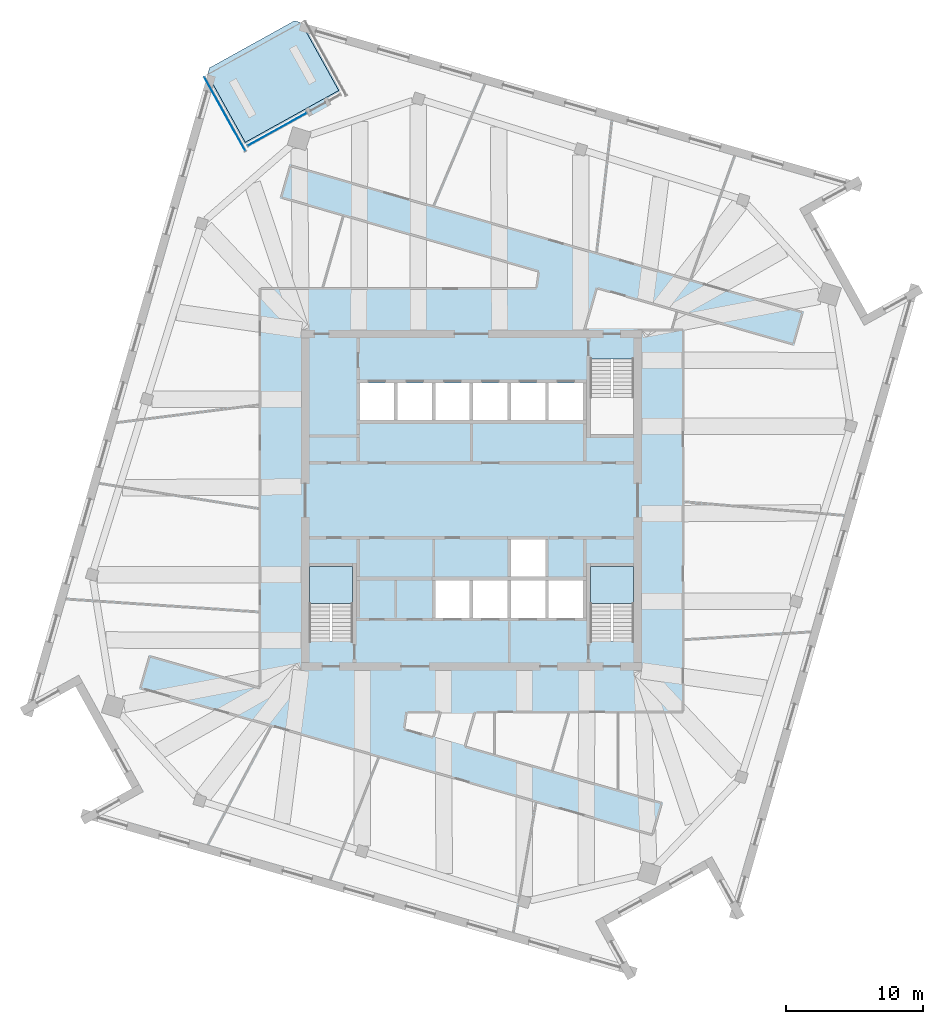
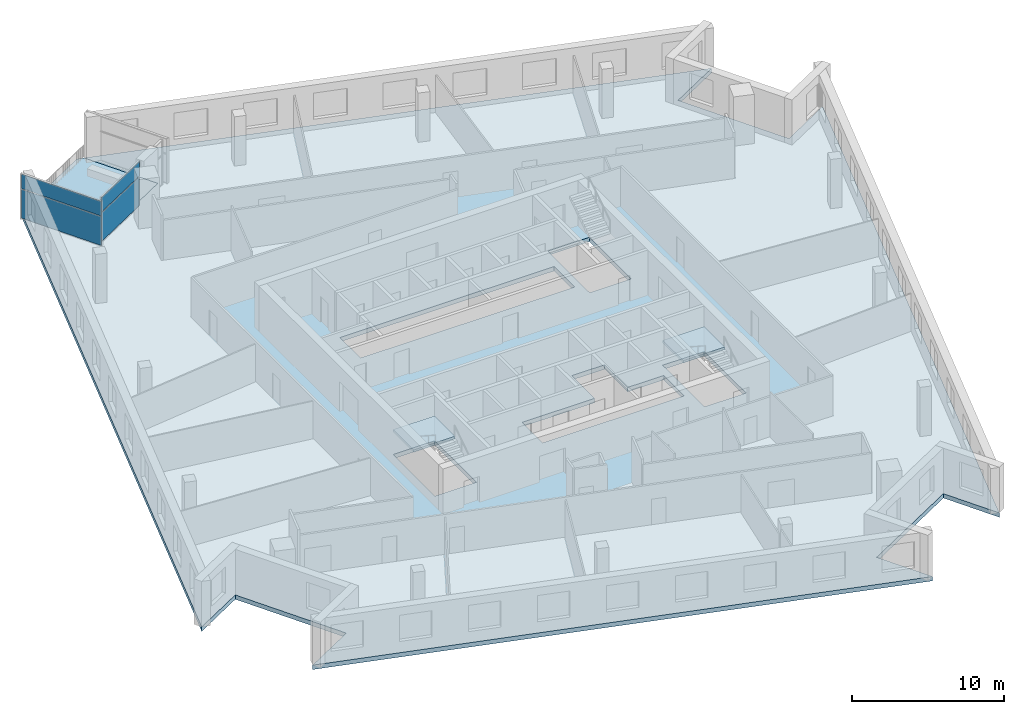
# One storey, part 5 of 15: 4 plates, 4 slabs, 4 elements without a shape of their own.
"""IFC4 building model written with IfcOpenShell, lengths in metres."""

import ifcopenshell
import ifcopenshell.guid

model = None  # the IFC model being written
_history = None  # IfcOwnerHistory: only IFC2X3 demands one
_inside = {}  # id of a spatial element -> (the spatial element, [elements in it])
_under = {}  # id of a project, library or spatial element -> (it, [spatial elements below it])
_declared = {}  # id of a project -> (the project, [libraries it declares])
_typed = {}  # id of a type object -> (the type object, [elements of that type])
_made_of = {}  # id of a material, layer set ... -> (it, [elements and type objects made of it])


def new_model(schema):
    """Start an empty IFC model of exactly this schema.

    Asked for "IFC4X3", IfcOpenShell would pick the latest addendum, in which some entities
    have other attributes; the version numbers below select the first issue.
    IFC2X3 requires an IfcOwnerHistory on every rooted entity: one is made here for all.
    """
    global model, _history
    if schema == "IFC4X3":
        model = ifcopenshell.file(schema_version=(4, 3, 0, 0))
    else:
        model = ifcopenshell.file(schema=schema)
    _inside.clear()
    _under.clear()
    _declared.clear()
    _typed.clear()
    _made_of.clear()
    _history = None
    if model.schema == "IFC2X3":
        org = make("IfcOrganization", Name="unknown")
        user = make(
            "IfcPersonAndOrganization",
            ThePerson=make("IfcPerson", FamilyName="unknown"),
            TheOrganization=org,
        )
        app = make(
            "IfcApplication",
            ApplicationDeveloper=org,
            Version="unknown",
            ApplicationFullName="unknown",
            ApplicationIdentifier="unknown",
        )
        _history = make(
            "IfcOwnerHistory",
            OwningUser=user,
            OwningApplication=app,
            ChangeAction="ADDED",
            CreationDate=0,
        )
    return model


def make(cls, **values):
    """One entity of the class cls with the attributes given. An attribute that is None is left unset."""
    return model.create_entity(
        cls, **{name: value for name, value in values.items() if value is not None}
    )


def rooted(cls, **values):
    """An entity with a GlobalId (a new one), such as an element, a storey or a relation."""
    return make(cls, GlobalId=ifcopenshell.guid.new(), OwnerHistory=_history, **values)


def si_unit(unit_type, name, prefix=None):
    """IfcSIUnit, for example si_unit("LENGTHUNIT", "METRE", prefix="MILLI")."""
    return make("IfcSIUnit", UnitType=unit_type, Prefix=prefix, Name=name)


def assignment(units):
    """IfcUnitAssignment: the units of a project."""
    return None if units is None else make("IfcUnitAssignment", Units=units)


def point(xyz):
    """IfcCartesianPoint."""
    return None if xyz is None else make("IfcCartesianPoint", Coordinates=xyz)


def direction(xyz):
    """IfcDirection."""
    return None if xyz is None else make("IfcDirection", DirectionRatios=xyz)


def frame(location, z_axis=None, x_axis=None):
    """IfcAxis2Placement3D, a coordinate frame: its origin and axes. An axis left out is left unset."""
    return make(
        "IfcAxis2Placement3D",
        Location=point(location),
        Axis=direction(z_axis),
        RefDirection=direction(x_axis),
    )


def frame_2d(location, x_axis=None):
    """IfcAxis2Placement2D, a coordinate frame in the plane: its origin and x axis."""
    return make(
        "IfcAxis2Placement2D", Location=point(location), RefDirection=direction(x_axis)
    )


def origin():
    """The frame at (0, 0, 0) with its axes left unset."""
    return frame((0.0, 0.0, 0.0))


def origin_2d():
    """The frame at (0, 0) in the plane with its x axis left unset."""
    return frame_2d((0.0, 0.0))


def place(relative_to, where):
    """IfcLocalPlacement: puts the frame where relative to a parent placement (None: the world)."""
    return make(
        "IfcLocalPlacement", PlacementRelTo=relative_to, RelativePlacement=where
    )


def context(
    kind, dimensions, precision=None, world=None, true_north=None, identifier=None
):
    """IfcGeometricRepresentationContext, for example the 3D "Model" context."""
    return make(
        "IfcGeometricRepresentationContext",
        ContextIdentifier=identifier,
        ContextType=kind,
        CoordinateSpaceDimension=dimensions,
        Precision=precision,
        WorldCoordinateSystem=world,
        TrueNorth=true_north,
    )


def subcontext(parent, identifier, kind, view, scale=None):
    """IfcGeometricRepresentationSubContext, for example "Body" below "Model"."""
    return make(
        "IfcGeometricRepresentationSubContext",
        ContextIdentifier=identifier,
        ContextType=kind,
        ParentContext=parent,
        TargetScale=scale,
        TargetView=view,
    )


def project(units=None, contexts=None):
    """IfcProject with its units and contexts."""
    return rooted(
        "IfcProject",
        Name="project",
        RepresentationContexts=contexts,
        UnitsInContext=assignment(units),
    )


def spatial(cls, under=None, at=None, **own):
    """A site, building, storey or space (cls), placed at a placement, below another one or the project."""
    s = rooted(cls, ObjectPlacement=at, **own)
    if under is not None:
        _under.setdefault(under.id(), (under, []))[1].append(s)
    return s


def polyline(points):
    """IfcPolyline through the points."""
    return make("IfcPolyline", Points=[point(p) for p in points])


def profile(cls, at=None, kind="AREA", **sizes):
    """A parametric profile (cls). Its sizes go by their IFC names, for example OverallWidth=200.0."""
    return make(cls, ProfileType=kind, Position=at, **sizes)


def rectangle(**sizes):
    """IfcRectangleProfileDef."""
    return profile("IfcRectangleProfileDef", **sizes)


def outline(outer, holes=None, kind="AREA"):
    """IfcArbitraryClosedProfileDef: a profile drawn as a closed curve; with holes, ...WithVoids."""
    if holes is None:
        return make("IfcArbitraryClosedProfileDef", ProfileType=kind, OuterCurve=outer)
    return make(
        "IfcArbitraryProfileDefWithVoids",
        ProfileType=kind,
        OuterCurve=outer,
        InnerCurves=holes,
    )


def extrude(swept, where, along, depth):
    """IfcExtrudedAreaSolid: the profile swept, set in the frame where, extruded along a direction by depth."""
    return make(
        "IfcExtrudedAreaSolid",
        SweptArea=swept,
        Position=where,
        ExtrudedDirection=direction(along),
        Depth=depth,
    )


def shape(context_of_items, identifier, shape_type, items):
    """IfcShapeRepresentation: the items that make up one representation, for example the "Body"."""
    return make(
        "IfcShapeRepresentation",
        ContextOfItems=context_of_items,
        RepresentationIdentifier=identifier,
        RepresentationType=shape_type,
        Items=items,
    )


def material(Name=None, Category=None):
    """IfcMaterial."""
    return make("IfcMaterial", Name=Name, Category=Category)


def layer(
    of_material, thickness, ventilated=None, Name=None, Category=None, Priority=None
):
    """IfcMaterialLayer: one layer of a wall or slab, of a material (None: an air gap)."""
    return make(
        "IfcMaterialLayer",
        Material=of_material,
        LayerThickness=thickness,
        IsVentilated=ventilated,
        Name=Name,
        Category=Category,
        Priority=Priority,
    )


def layer_set(layers, Name=None):
    """IfcMaterialLayerSet."""
    return make("IfcMaterialLayerSet", MaterialLayers=layers, LayerSetName=Name)


def made_of(thing, what):
    """Note that an element or type object is made of a material, layer set ...; save() writes the relation."""
    if what is not None:
        _made_of.setdefault(what.id(), (what, []))[1].append(thing)
    return thing


def type_object(cls, material=None, **own):
    """A type object (cls), such as IfcWallType, which elements share."""
    return made_of(rooted(cls, **own), material)


def element(
    cls,
    number,
    at=None,
    inside=None,
    cuts=None,
    type_object=None,
    material=None,
    context=None,
    identifier="Body",
    shape_type=None,
    held_by="IfcProductDefinitionShape",
    body=None,
    shapes=None,
    **own,
):
    """One element of the class cls, such as IfcWall. Its Tag is "e" and its number.

    at: its placement. inside: the storey or other place that contains it. cuts: it is an
    opening in that element (IfcRelVoidsElement). A single representation is given by context,
    identifier, shape_type and body (its items); several are given by shapes. held_by: the class
    of the entity that holds the representations. save() writes the other relations.
    """
    e = rooted(cls, Tag="e%d" % number, ObjectPlacement=at, **own)
    if body is not None:
        shapes = [shape(context, identifier, shape_type, body)]
    if shapes is not None:
        e.Representation = make(held_by, Representations=shapes)
    if inside is not None:
        _inside.setdefault(inside.id(), (inside, []))[1].append(e)
    if cuts is not None:
        rooted(
            "IfcRelVoidsElement", RelatingBuildingElement=cuts, RelatedOpeningElement=e
        )
    if type_object is not None:
        _typed.setdefault(type_object.id(), (type_object, []))[1].append(e)
    return made_of(e, material)


def aggregate(whole, parts):
    """IfcRelAggregates: a whole, such as a stair, and the parts it consists of."""
    return rooted("IfcRelAggregates", RelatingObject=whole, RelatedObjects=parts)


def save(model, path):
    """Write the relations noted so far, then the file.

    IfcRelAggregates (storeys below a building ...), IfcRelContainedInSpatialStructure (elements
    in a storey), IfcRelDefinesByType, IfcRelAssociatesMaterial and IfcRelDeclares: one each for
    every whole, place, type object, material and project.
    """
    for whole, parts in _under.values():
        aggregate(whole, parts)
    for where, things in _inside.values():
        rooted(
            "IfcRelContainedInSpatialStructure",
            RelatedElements=things,
            RelatingStructure=where,
        )
    for kind, things in _typed.values():
        rooted("IfcRelDefinesByType", RelatedObjects=things, RelatingType=kind)
    for what, things in _made_of.values():
        rooted("IfcRelAssociatesMaterial", RelatedObjects=things, RelatingMaterial=what)
    for by, libraries in _declared.values():
        rooted("IfcRelDeclares", RelatingContext=by, RelatedDefinitions=libraries)
    model.write(path)


model = new_model("IFC4")

# Units and contexts
model_context = context("Model", 3, precision=1e-05, world=origin(), true_north=direction((0.0, 1.0)))
body_context = subcontext(model_context, "Body", "Model", "MODEL_VIEW")
ifc_project = project(units=[si_unit("LENGTHUNIT", "METRE"), si_unit("AREAUNIT", "SQUARE_METRE"), si_unit("VOLUMEUNIT", "CUBIC_METRE"), si_unit("PLANEANGLEUNIT", "RADIAN"), si_unit("MASSUNIT", "GRAM", prefix="KILO")], contexts=[model_context])

# Site, building, storey
site_placement = place(None, origin())
site = spatial("IfcSite", under=ifc_project, at=site_placement, CompositionType="ELEMENT")
building_placement = place(site_placement, origin())
building = spatial("IfcBuilding", under=site, at=building_placement, Name="Dilmun Exchange Tower", CompositionType="ELEMENT")
storey_placement = place(building_placement, frame((0.0, 0.0, 328.5)))
storey = spatial("IfcBuildingStorey", under=building, at=storey_placement, Name="L78", CompositionType="ELEMENT", Elevation=328.5)

# Stair, slab
ifc_material_1 = material(Name="Concrete C40/50", Category="concrete")
stair_type = type_object("IfcStairType", Name="Exit stair 1500 half-turn", PredefinedType="HALF_TURN_STAIR", material=ifc_material_1)
stair_1_placement = place(storey_placement, origin())
stair_1 = element("IfcStair", 1, at=stair_1_placement, inside=storey, type_object=stair_type, Name="L78 Protected exit stair ST2", PredefinedType="HALF_TURN_STAIR")
ifc_layer_1 = layer(ifc_material_1, 0.199951171875)
ifc_layer_set_1 = layer_set([ifc_layer_1], Name="Concrete C40/50")
slab_type_1 = type_object("IfcSlabType", Name="Exit stair landing 200", PredefinedType="LANDING", material=ifc_layer_set_1)
slab_1_placement = place(storey_placement, frame((0.0, 0.0, 1.800048828125)))
slab_1 = element("IfcSlab", 2, at=slab_1_placement, type_object=slab_type_1, Name="ST2 landing 1", PredefinedType="LANDING", context=body_context, shape_type="SweptSolid", body=[
    extrude(outline(polyline([(-8.64990234375, -7.5), (-8.64990234375, -4.800048828125), (-11.800048828125, -4.800048828125), (-11.800048828125, -7.5), (-8.64990234375, -7.5)])), origin(), (0.0, 0.0, 1.0), 0.199951171875),
])
aggregate(stair_1, [slab_1])

stair_2_placement = place(storey_placement, origin())
stair_2 = element("IfcStair", 3, at=stair_2_placement, inside=storey, type_object=stair_type, Name="L78 Protected exit stair ST3", PredefinedType="HALF_TURN_STAIR")
slab_2_placement = place(storey_placement, frame((0.0, 0.0, 1.800048828125)))
slab_2 = element("IfcSlab", 4, at=slab_2_placement, type_object=slab_type_1, Name="ST3 landing 1", PredefinedType="LANDING", context=body_context, shape_type="SweptSolid", body=[
    extrude(outline(polyline([(11.800048828125, -7.5), (11.800048828125, -4.800048828125), (8.64990234375, -4.800048828125), (8.64990234375, -7.5), (11.800048828125, -7.5)])), origin(), (0.0, 0.0, 1.0), 0.199951171875),
])
aggregate(stair_2, [slab_2])

# Curtain wall, plates
ifc_material_2 = material(Name="Anodised aluminium and clear glass", Category="aluminium")
curtain_wall_type = type_object("IfcCurtainWallType", Name="Garden corner glazing", PredefinedType="NOTDEFINED", material=ifc_material_2)
curtain_wall_1_placement = place(storey_placement, origin())
curtain_wall_1 = element("IfcCurtainWall", 5, at=curtain_wall_1_placement, inside=storey, type_object=curtain_wall_type, Name="Garden corner glazing run GC2.3", PredefinedType="NOTDEFINED")
ifc_material_3 = material(Name="Clear glass", Category="glass")
ifc_layer_2 = layer(ifc_material_3, 0.028076171875)
ifc_layer_set_2 = layer_set([ifc_layer_2], Name="Clear glass")
plate_type = type_object("IfcPlateType", Name="Garden corner glazing glass panel 28", PredefinedType="CURTAIN_PANEL", material=ifc_layer_set_2)
plate_1_placement = place(storey_placement, frame((-14.13623046875, 27.001708984375, 0.06005859375), z_axis=(0.0, 0.0, 1.0), x_axis=(-0.874618260359, -0.484812230299, 0.0)))
plate_1 = element("IfcPlate", 6, at=plate_1_placement, type_object=plate_type, Name="GC2.3 panel 1.1", PredefinedType="CURTAIN_PANEL", context=body_context, shape_type="SweptSolid", body=[
    extrude(rectangle(XDim=4.869140625, YDim=0.028076171875, at=origin_2d()), origin(), (0.0, 0.0, 1.0), 2.31005859375),
])
plate_2_placement = place(storey_placement, frame((-14.13623046875, 27.001708984375, 2.43017578125), z_axis=(0.0, 0.0, 1.0), x_axis=(-0.874618260359, -0.484812230299, 0.0)))
plate_2 = element("IfcPlate", 7, at=plate_2_placement, type_object=plate_type, Name="GC2.3 panel 1.2", PredefinedType="CURTAIN_PANEL", context=body_context, shape_type="SweptSolid", body=[
    extrude(rectangle(XDim=4.869140625, YDim=0.028076171875, at=origin_2d()), origin(), (0.0, 0.0, 1.0), 1.159912109375),
])
aggregate(curtain_wall_1, [plate_1, plate_2])

curtain_wall_2_placement = place(storey_placement, origin())
curtain_wall_2 = element("IfcCurtainWall", 8, at=curtain_wall_2_placement, inside=storey, type_object=curtain_wall_type, Name="Garden corner glazing run GC3.1", PredefinedType="NOTDEFINED")
plate_3_placement = place(storey_placement, frame((-17.94921875, 28.115966796875, 0.06005859375), z_axis=(0.0, 0.0, 1.0), x_axis=(-0.484802683833, 0.87462355202, 0.0)))
plate_3 = element("IfcPlate", 9, at=plate_3_placement, type_object=plate_type, Name="GC3.1 panel 1.1", PredefinedType="CURTAIN_PANEL", context=body_context, shape_type="SweptSolid", body=[
    extrude(rectangle(XDim=6.12646484375, YDim=0.028076171875, at=origin_2d()), origin(), (0.0, 0.0, 1.0), 2.31005859375),
])
plate_4_placement = place(storey_placement, frame((-17.94921875, 28.115966796875, 2.43017578125), z_axis=(0.0, 0.0, 1.0), x_axis=(-0.484802683833, 0.87462355202, 0.0)))
plate_4 = element("IfcPlate", 10, at=plate_4_placement, type_object=plate_type, Name="GC3.1 panel 1.2", PredefinedType="CURTAIN_PANEL", context=body_context, shape_type="SweptSolid", body=[
    extrude(rectangle(XDim=6.12646484375, YDim=0.028076171875, at=origin_2d()), origin(), (0.0, 0.0, 1.0), 1.159912109375),
])
aggregate(curtain_wall_2, [plate_3, plate_4])

# Slabs
ifc_layer_3 = layer(ifc_material_1, 0.35009765625)
ifc_layer_set_3 = layer_set([ifc_layer_3], Name="Concrete C40/50")
slab_type_2 = type_object("IfcSlabType", Name="RC floor slab 350", PredefinedType="FLOOR", material=ifc_layer_set_3)
slab_3_placement = place(storey_placement, frame((0.0, 0.0, -0.35009765625)))
element("IfcSlab", 11, at=slab_3_placement, inside=storey, type_object=slab_type_2, Name="Floor slab", PredefinedType="FLOOR", context=body_context, shape_type="SweptSolid", body=[
    extrude(outline(polyline([(24.697509765625, 20.974609375), (28.818359375, 13.540283203125), (32.56640625, 15.6181640625), (19.341552734375, -30.50244140625), (17.263916015625, -26.75439453125), (9.82958984375, -30.875244140625), (11.907470703125, -34.623291015625), (-28.445556640625, -23.05224609375), (-24.697509765625, -20.974609375), (-28.818359375, -13.540283203125), (-32.56640625, -15.6181640625), (-19.200927734375, 30.9931640625), (-16.46337890625, 26.0546875), (-9.66064453125, 29.82568359375), (-12.39794921875, 34.76416015625), (28.445556640625, 23.05224609375), (24.697509765625, 20.974609375)]), holes=[polyline([(-8.64990234375, -4.800048828125), (-11.800048828125, -4.800048828125), (-11.800048828125, -10.294921875), (-8.64990234375, -10.294921875), (-8.64990234375, -4.800048828125)]), polyline([(11.800048828125, -4.800048828125), (8.64990234375, -4.800048828125), (8.64990234375, -10.294921875), (11.800048828125, -10.294921875), (11.800048828125, -4.800048828125)]), polyline([(2.875, -5.85009765625), (-2.625, -5.85009765625), (-2.625, -8.550048828125), (8.125, -8.550048828125), (8.125, -5.85009765625), (5.375, -5.85009765625), (5.375, -2.85009765625), (2.875, -2.85009765625), (2.875, -5.85009765625)]), polyline([(8.125, 5.85009765625), (8.125, 8.550048828125), (-8.125, 8.550048828125), (-8.125, 5.85009765625), (8.125, 5.85009765625)]), polyline([(8.64990234375, 10.294921875), (8.64990234375, 4.800048828125), (11.800048828125, 4.800048828125), (11.800048828125, 10.294921875), (8.64990234375, 10.294921875)])]), origin(), (0.0, 0.0, 1.0), 0.35009765625),
])
ifc_layer_4 = layer(ifc_material_1, 0.300048828125)
ifc_layer_set_4 = layer_set([ifc_layer_4], Name="Concrete C40/50")
slab_type_3 = type_object("IfcSlabType", Name="RC garden terrace slab 300", PredefinedType="FLOOR", material=ifc_layer_set_4)
slab_4_placement = place(storey_placement, frame((0.0, 0.0, -0.300048828125)))
element("IfcSlab", 12, at=slab_4_placement, inside=storey, type_object=slab_type_3, Name="Garden terrace slab", PredefinedType="FLOOR", context=body_context, shape_type="SweptSolid", body=[
    extrude(outline(polyline([(-16.46337890625, 26.0546875), (-19.200927734375, 30.9931640625), (-19.06298828125, 31.473876953125), (-12.878662109375, 34.90185546875), (-12.39794921875, 34.76416015625), (-9.66064453125, 29.82568359375), (-16.46337890625, 26.0546875)])), origin(), (0.0, 0.0, 1.0), 0.300048828125),
])

save(model, "model.ifc")
